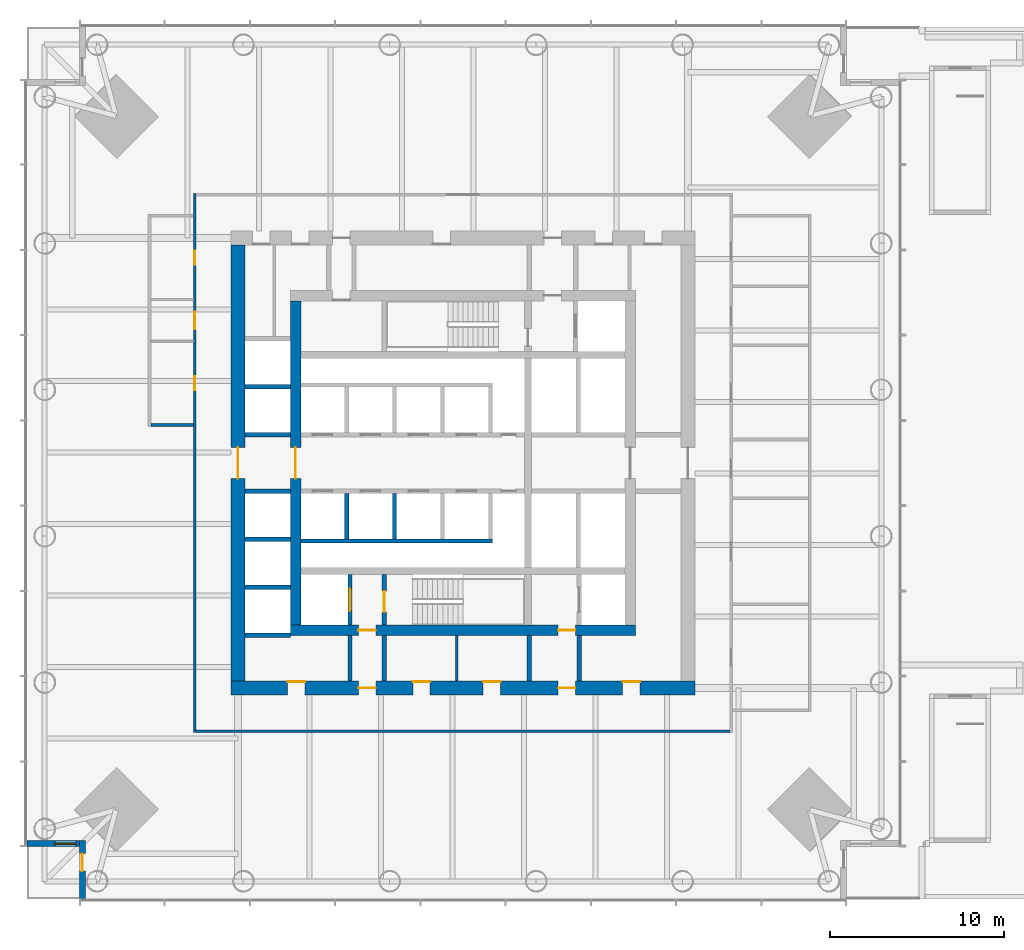
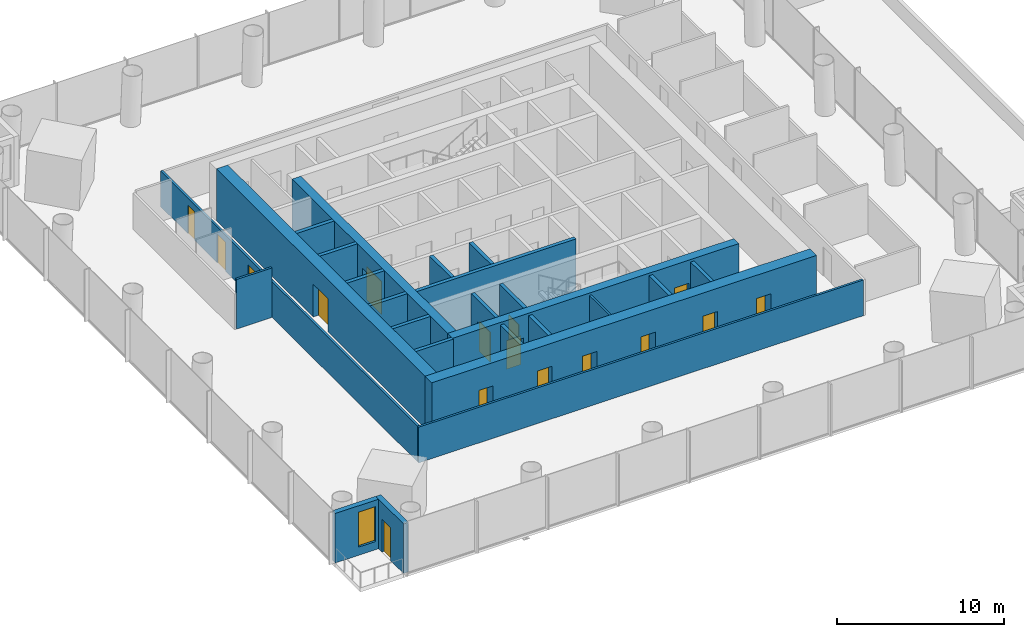
# One storey, part 9 of 19: 25 walls, 16 doors, 1 window, 17 openings.
"""IFC4 building model written with IfcOpenShell, lengths in metres."""

from ifc_helpers import new_model, si_unit, direction, frame, frame_2d, origin, place, context, subcontext, project, spatial, rectangle, extrude, material, layer, layer_set, type_object, element, fill, save


model = new_model("IFC4")

# Units and contexts
model_context = context("Model", 3, precision=1e-05, world=origin(), true_north=direction((0.0, 1.0)))
body_context = subcontext(model_context, "Body", "Model", "MODEL_VIEW")
ifc_project = project(units=[si_unit("LENGTHUNIT", "METRE"), si_unit("AREAUNIT", "SQUARE_METRE"), si_unit("VOLUMEUNIT", "CUBIC_METRE"), si_unit("PLANEANGLEUNIT", "RADIAN"), si_unit("MASSUNIT", "GRAM", prefix="KILO")], contexts=[model_context])

# Site, building, storey
site_placement = place(None, origin())
site = spatial("IfcSite", under=ifc_project, at=site_placement, CompositionType="ELEMENT")
building_placement = place(site_placement, origin())
building = spatial("IfcBuilding", under=site, at=building_placement, Name="Ostroluk Exchange", CompositionType="ELEMENT")
storey_placement = place(building_placement, frame((0.0, 0.0, 21.0)))
storey = spatial("IfcBuildingStorey", under=building, at=storey_placement, Name="L04", CompositionType="ELEMENT", Elevation=21.0)

# Walls
ifc_material_1 = material(Name="Concrete blockwork", Category="masonry")
ifc_layer_1 = layer(ifc_material_1, 0.14990234375)
ifc_layer_set_1 = layer_set([ifc_layer_1], Name="Blockwork plant room wall 150")
wall_type_1 = type_object("IfcWallType", Name="Blockwork plant room wall 150", PredefinedType="SOLIDWALL", material=ifc_layer_set_1)
wall_1_placement = place(storey_placement, frame((44.639892578125, 33.5, 0.0), z_axis=(0.0, 0.0, 1.0), x_axis=(0.0, 1.0, 0.0)))
element("IfcWall", 1, at=wall_1_placement, inside=storey, type_object=wall_type_1, Name="Core room wall", PredefinedType="SOLIDWALL", context=body_context, shape_type="SweptSolid", body=[
    extrude(rectangle(XDim=2.60009765625, YDim=0.14990234375, at=frame_2d((1.300048828125, 0.0))), origin(), (0.0, 0.0, 1.0), 3.6201171875),
])
ifc_material_2 = material(Name="Concrete blockwork", Category="masonry")
ifc_layer_2 = layer(ifc_material_2, 0.25)
ifc_layer_set_2 = layer_set([ifc_layer_2], Name="Blockwork stair enclosure wall 250")
wall_type_2 = type_object("IfcWallType", Name="Blockwork stair enclosure wall 250", PredefinedType="SOLIDWALL", material=ifc_layer_set_2)
for number, where, z_axis, x_axis, name in (
    (2, (38.52490234375, 33.5, 0.0), (0.0, 0.0, 1.0), (0.0, 1.0, 0.0), "Fire lobby enclosure wall"),
    (3, (40.47509765625, 33.5, 0.0), (0.0, 0.0, 1.0), (0.0, 1.0, 0.0), "Fire lobby enclosure wall"),
    (4, (48.804931640625, 33.5, 0.0), (0.0, 0.0, 1.0), (0.0, 1.0, 0.0), "Service lobby enclosure wall"),
    (5, (51.675048828125, 33.5, 0.0), (0.0, 0.0, 1.0), (0.0, 1.0, 0.0), "Service lobby enclosure wall"),
):
    element("IfcWall", number, at=place(storey_placement, frame(where, z_axis=z_axis, x_axis=x_axis)), inside=storey, type_object=wall_type_2, Name=name, PredefinedType="SOLIDWALL", context=body_context, shape_type="SweptSolid", body=[
        extrude(rectangle(XDim=2.60009765625, YDim=0.25, at=frame_2d((1.300048828125, 0.0))), origin(), (0.0, 0.0, 1.0), 3.6201171875),
    ])

# Wall, opening, door
ifc_material_3 = material(Name="Concrete C40/50", Category="concrete")
ifc_layer_3 = layer(ifc_material_3, 0.25)
ifc_layer_set_3 = layer_set([ifc_layer_3], Name="Core shaft wall 250")
wall_type_3 = type_object("IfcWallType", Name="Core shaft wall 250", PredefinedType="SHEAR", material=ifc_layer_set_3)
wall_2_placement = place(storey_placement, frame((38.52490234375, 36.699951171875, 0.0), z_axis=(0.0, 0.0, 1.0), x_axis=(0.0, 1.0, 0.0)))
wall_2 = element("IfcWall", 6, at=wall_2_placement, inside=storey, type_object=wall_type_3, Name="Firefighting lift shaft wall", PredefinedType="SHEAR", context=body_context, shape_type="SweptSolid", body=[
    extrude(rectangle(XDim=2.900146484375, YDim=0.25, at=frame_2d((1.4501953125, 0.0))), origin(), (0.0, 0.0, 1.0), 3.800048828125),
])
opening_1_placement = place(wall_2_placement, frame((0.800048828125, 0.0, 0.0)))
opening_1 = element("IfcOpeningElement", 7, at=opening_1_placement, cuts=wall_2, Name="Opening LD2", PredefinedType="OPENING", context=body_context, shape_type="SweptSolid", body=[
    extrude(rectangle(XDim=1.300048828125, YDim=2.199951171875, at=frame_2d((0.64990234375, 1.10009765625))), frame((0.0, 0.135009765625, 0.0), z_axis=(0.0, -1.0, 0.0), x_axis=(1.0, 0.0, 0.0)), (0.0, 0.0, 1.0), 0.27001953125),
])
ifc_material_4 = material(Name="Stainless steel", Category="steel")
door_type_1 = type_object("IfcDoorType", Name="Lift landing door E 60 1300 x 2200", OperationType="DOUBLE_DOOR_SLIDING", PredefinedType="DOOR", material=ifc_material_4)
door_1_placement = place(opening_1_placement, origin())
door_1 = element("IfcDoor", 8, at=door_1_placement, inside=storey, type_object=door_type_1, Name="Lift FL1 landing door", OperationType="DOUBLE_DOOR_SLIDING", OverallHeight=2.199951171875, OverallWidth=1.300048828125, PredefinedType="DOOR", context=body_context, shape_type="SweptSolid", body=[
    extrude(rectangle(XDim=1.300048828125, YDim=2.199951171875, at=frame_2d((0.64990234375, 1.10009765625))), frame((0.0, 0.02490234375, 0.0), z_axis=(0.0, -1.0, 0.0), x_axis=(1.0, 0.0, 0.0)), (0.0, 0.0, 1.0), 0.050048828125),
])
fill(opening_1, door_1)

wall_3_placement = place(storey_placement, frame((40.47509765625, 36.699951171875, 0.0), z_axis=(0.0, 0.0, 1.0), x_axis=(0.0, 1.0, 0.0)))
wall_3 = element("IfcWall", 9, at=wall_3_placement, inside=storey, type_object=wall_type_3, Name="Stair shaft wall", PredefinedType="SHEAR", context=body_context, shape_type="SweptSolid", body=[
    extrude(rectangle(XDim=2.900146484375, YDim=0.25, at=frame_2d((1.4501953125, 0.0))), origin(), (0.0, 0.0, 1.0), 3.800048828125),
])
opening_2_placement = place(wall_3_placement, frame((0.75, 0.0, 0.0)))
opening_2 = element("IfcOpeningElement", 10, at=opening_2_placement, cuts=wall_3, Name="Opening FD60S", PredefinedType="OPENING", context=body_context, shape_type="SweptSolid", body=[
    extrude(rectangle(XDim=1.199951171875, YDim=2.10009765625, at=frame_2d((0.60009765625, 1.050048828125))), frame((0.0, 0.135009765625, 0.0), z_axis=(0.0, -1.0, 0.0), x_axis=(1.0, 0.0, 0.0)), (0.0, 0.0, 1.0), 0.27001953125),
])
ifc_material_5 = material(Name="Steel", Category="steel")
door_type_2 = type_object("IfcDoorType", Name="Stair door EI 60 1200 x 2100", OperationType="SINGLE_SWING_LEFT", PredefinedType="DOOR", material=ifc_material_5)
door_2_placement = place(opening_2_placement, origin())
door_2 = element("IfcDoor", 11, at=door_2_placement, inside=storey, type_object=door_type_2, Name="Stair T1-S1 door", OperationType="SINGLE_SWING_LEFT", OverallHeight=2.10009765625, OverallWidth=1.199951171875, PredefinedType="DOOR", context=body_context, shape_type="SweptSolid", body=[
    extrude(rectangle(XDim=1.199951171875, YDim=2.10009765625, at=frame_2d((0.60009765625, 1.050048828125))), frame((0.0, 0.02490234375, 0.0), z_axis=(0.0, -1.0, 0.0), x_axis=(1.0, 0.0, 0.0)), (0.0, 0.0, 1.0), 0.050048828125),
])
fill(opening_2, door_2)

# Walls
for number, where, z_axis, x_axis, name in (
    (12, (38.324951171875, 44.25, 0.0), (0.0, 0.0, 1.0), (0.0, -1.0, 0.0), "Lift shaft wall"),
    (13, (41.074951171875, 44.25, 0.0), (0.0, 0.0, 1.0), (0.0, -1.0, 0.0), "Lift shaft wall"),
):
    element("IfcWall", number, at=place(storey_placement, frame(where, z_axis=z_axis, x_axis=x_axis)), inside=storey, type_object=wall_type_3, Name=name, PredefinedType="SHEAR", context=body_context, shape_type="SweptSolid", body=[
        extrude(rectangle(XDim=2.60009765625, YDim=0.25, at=frame_2d((1.300048828125, 0.0))), origin(), (0.0, 0.0, 1.0), 3.800048828125),
    ])
wall_4_placement = place(storey_placement, frame((35.699951171875, 41.52490234375, 0.0), z_axis=(0.0, 0.0, 1.0), x_axis=(1.0, 0.0, 0.0)))
element("IfcWall", 14, at=wall_4_placement, inside=storey, type_object=wall_type_3, Name="Lift shaft wall", PredefinedType="SHEAR", context=body_context, shape_type="SweptSolid", body=[
    extrude(rectangle(XDim=11.0, YDim=0.25, at=frame_2d((5.5, 0.0))), origin(), (0.0, 0.0, 1.0), 3.800048828125),
])
for number, where, z_axis, x_axis, name in (
    (15, (32.5, 36.125, 0.0), (0.0, 0.0, 1.0), (1.0, 0.0, 0.0), "Lift shaft wall"),
    (16, (32.5, 38.875, 0.0), (0.0, 0.0, 1.0), (1.0, 0.0, 0.0), "Lift shaft wall"),
    (17, (32.5, 41.625, 0.0), (0.0, 0.0, 1.0), (1.0, 0.0, 0.0), "Lift shaft wall"),
    (18, (32.5, 44.375, 0.0), (0.0, 0.0, 1.0), (1.0, 0.0, 0.0), "Lift shaft wall"),
    (19, (32.5, 47.625, 0.0), (0.0, 0.0, 1.0), (1.0, 0.0, 0.0), "Lift shaft wall"),
    (20, (32.5, 50.375, 0.0), (0.0, 0.0, 1.0), (1.0, 0.0, 0.0), "Lift shaft wall"),
):
    element("IfcWall", number, at=place(storey_placement, frame(where, z_axis=z_axis, x_axis=x_axis)), inside=storey, type_object=wall_type_3, Name=name, PredefinedType="SHEAR", context=body_context, shape_type="SweptSolid", body=[
        extrude(rectangle(XDim=2.60009765625, YDim=0.25, at=frame_2d((1.300048828125, 0.0))), origin(), (0.0, 0.0, 1.0), 3.800048828125),
    ])

# Wall, openings, doors
ifc_material_6 = material(Name="Concrete C50/60", Category="concrete")
ifc_layer_4 = layer(ifc_material_6, 0.60009765625)
ifc_layer_set_4 = layer_set([ifc_layer_4], Name="Core wall 600 C50/60")
wall_type_4 = type_object("IfcWallType", Name="Core wall 600 C50/60", PredefinedType="SHEAR", material=ifc_layer_set_4)
wall_5_placement = place(storey_placement, frame((35.10009765625, 36.39990234375, 0.0), z_axis=(0.0, 0.0, 1.0), x_axis=(1.0, 0.0, 0.0)))
wall_5 = element("IfcWall", 21, at=wall_5_placement, inside=storey, type_object=wall_type_4, Name="T1 core wall S", PredefinedType="SHEAR", context=body_context, shape_type="SweptSolid", body=[
    extrude(rectangle(XDim=19.7998046875, YDim=0.60009765625, at=frame_2d((9.89990234375, 0.0))), origin(), (0.0, 0.0, 1.0), 3.800048828125),
])
opening_3_placement = place(wall_5_placement, frame((3.89990234375, 0.0, 0.0)))
opening_3 = element("IfcOpeningElement", 22, at=opening_3_placement, cuts=wall_5, Name="Opening FD60", PredefinedType="OPENING", context=body_context, shape_type="SweptSolid", body=[
    extrude(rectangle(XDim=1.0, YDim=2.10009765625, at=frame_2d((0.5, 1.050048828125))), frame((0.0, 0.31005859375, 0.0), z_axis=(0.0, -1.0, 0.0), x_axis=(1.0, 0.0, 0.0)), (0.0, 0.0, 1.0), 0.6201171875),
])
opening_4_placement = place(wall_5_placement, frame((15.35009765625, 0.0, 0.0)))
opening_4 = element("IfcOpeningElement", 23, at=opening_4_placement, cuts=wall_5, Name="Opening FD60", PredefinedType="OPENING", context=body_context, shape_type="SweptSolid", body=[
    extrude(rectangle(XDim=1.0, YDim=2.10009765625, at=frame_2d((0.5, 1.050048828125))), frame((0.0, 0.31005859375, 0.0), z_axis=(0.0, -1.0, 0.0), x_axis=(1.0, 0.0, 0.0)), (0.0, 0.0, 1.0), 0.6201171875),
])
ifc_material_7 = material(Name="Steel", Category="steel")
door_type_3 = type_object("IfcDoorType", Name="Fire door EI 60 1000 x 2100", OperationType="SINGLE_SWING_LEFT", PredefinedType="DOOR", material=ifc_material_7)
door_3_placement = place(opening_3_placement, origin())
door_3 = element("IfcDoor", 24, at=door_3_placement, inside=storey, type_object=door_type_3, Name="Firefighting lobby door", OperationType="SINGLE_SWING_LEFT", OverallHeight=2.10009765625, OverallWidth=1.0, PredefinedType="DOOR", context=body_context, shape_type="SweptSolid", body=[
    extrude(rectangle(XDim=1.0, YDim=2.10009765625, at=frame_2d((0.5, 1.050048828125))), frame((0.0, 0.02490234375, 0.0), z_axis=(0.0, -1.0, 0.0), x_axis=(1.0, 0.0, 0.0)), (0.0, 0.0, 1.0), 0.050048828125),
])
fill(opening_3, door_3)
door_4_placement = place(opening_4_placement, origin())
door_4 = element("IfcDoor", 25, at=door_4_placement, inside=storey, type_object=door_type_3, Name="Service lobby door", OperationType="SINGLE_SWING_RIGHT", OverallHeight=2.10009765625, OverallWidth=1.0, PredefinedType="DOOR", context=body_context, shape_type="SweptSolid", body=[
    extrude(rectangle(XDim=1.0, YDim=2.10009765625, at=frame_2d((0.5, 1.050048828125))), frame((0.0, 0.02490234375, 0.0), z_axis=(0.0, -1.0, 0.0), x_axis=(1.0, 0.0, 0.0)), (0.0, 0.0, 1.0), 0.050048828125),
])
fill(opening_4, door_4)

# Wall, opening, door
wall_6_placement = place(storey_placement, frame((35.39990234375, 36.699951171875, 0.0), z_axis=(0.0, 0.0, 1.0), x_axis=(0.0, 1.0, 0.0)))
wall_6 = element("IfcWall", 26, at=wall_6_placement, inside=storey, type_object=wall_type_4, Name="T1 core wall W", PredefinedType="SHEAR", context=body_context, shape_type="SweptSolid", body=[
    extrude(rectangle(XDim=18.60009765625, YDim=0.60009765625, at=frame_2d((9.300048828125, 0.0))), origin(), (0.0, 0.0, 1.0), 3.800048828125),
])
opening_5_placement = place(wall_6_placement, frame((8.39990234375, 0.0, 0.0)))
opening_5 = element("IfcOpeningElement", 27, at=opening_5_placement, cuts=wall_6, Name="Opening FD30D", PredefinedType="OPENING", context=body_context, shape_type="SweptSolid", body=[
    extrude(rectangle(XDim=1.800048828125, YDim=2.39990234375, at=frame_2d((0.89990234375, 1.199951171875))), frame((0.0, 0.31005859375, 0.0), z_axis=(0.0, -1.0, 0.0), x_axis=(1.0, 0.0, 0.0)), (0.0, 0.0, 1.0), 0.6201171875),
])
ifc_material_8 = material(Name="Timber", Category="wood")
door_type_4 = type_object("IfcDoorType", Name="Lobby double door EI 30 1800 x 2400", OperationType="DOUBLE_DOOR_SINGLE_SWING", PredefinedType="DOOR", material=ifc_material_8)
door_5_placement = place(opening_5_placement, origin())
door_5 = element("IfcDoor", 28, at=door_5_placement, inside=storey, type_object=door_type_4, Name="Lift lobby doors", OperationType="DOUBLE_DOOR_SINGLE_SWING", OverallHeight=2.39990234375, OverallWidth=1.800048828125, PredefinedType="DOOR", context=body_context, shape_type="SweptSolid", body=[
    extrude(rectangle(XDim=1.800048828125, YDim=2.39990234375, at=frame_2d((0.89990234375, 1.199951171875))), frame((0.0, 0.02490234375, 0.0), z_axis=(0.0, -1.0, 0.0), x_axis=(1.0, 0.0, 0.0)), (0.0, 0.0, 1.0), 0.050048828125),
])
fill(opening_5, door_5)

# Wall, openings, doors
ifc_material_9 = material(Name="Concrete C50/60", Category="concrete")
ifc_layer_5 = layer(ifc_material_9, 0.800048828125)
ifc_layer_set_5 = layer_set([ifc_layer_5], Name="Core wall 800 C50/60")
wall_type_5 = type_object("IfcWallType", Name="Core wall 800 C50/60", PredefinedType="SHEAR", material=ifc_layer_set_5)
wall_7_placement = place(storey_placement, frame((31.699951171875, 33.10009765625, 0.0), z_axis=(0.0, 0.0, 1.0), x_axis=(1.0, 0.0, 0.0)))
wall_7 = element("IfcWall", 29, at=wall_7_placement, inside=storey, type_object=wall_type_5, Name="T1 core wall RS", PredefinedType="SHEAR", context=body_context, shape_type="SweptSolid", body=[
    extrude(rectangle(XDim=26.60009765625, YDim=0.800048828125, at=frame_2d((13.300048828125, 0.0))), origin(), (0.0, 0.0, 1.0), 3.800048828125),
])
opening_6_placement = place(wall_7_placement, frame((7.300048828125, 0.0, 0.0)))
opening_6 = element("IfcOpeningElement", 30, at=opening_6_placement, cuts=wall_7, Name="Opening FD60", PredefinedType="OPENING", context=body_context, shape_type="SweptSolid", body=[
    extrude(rectangle(XDim=1.0, YDim=2.10009765625, at=frame_2d((0.5, 1.050048828125))), frame((0.0, 0.409912109375, 0.0), z_axis=(0.0, -1.0, 0.0), x_axis=(1.0, 0.0, 0.0)), (0.0, 0.0, 1.0), 0.820068359375),
])
opening_7_placement = place(wall_7_placement, frame((18.75, 0.0, 0.0)))
opening_7 = element("IfcOpeningElement", 31, at=opening_7_placement, cuts=wall_7, Name="Opening FD60", PredefinedType="OPENING", context=body_context, shape_type="SweptSolid", body=[
    extrude(rectangle(XDim=1.0, YDim=2.10009765625, at=frame_2d((0.5, 1.050048828125))), frame((0.0, 0.409912109375, 0.0), z_axis=(0.0, -1.0, 0.0), x_axis=(1.0, 0.0, 0.0)), (0.0, 0.0, 1.0), 0.820068359375),
])
opening_8_placement = place(wall_7_placement, frame((3.25, 0.0, 0.0)))
opening_8 = element("IfcOpeningElement", 32, at=opening_8_placement, cuts=wall_7, Name="Opening FD60", PredefinedType="OPENING", context=body_context, shape_type="SweptSolid", body=[
    extrude(rectangle(XDim=1.0, YDim=2.10009765625, at=frame_2d((0.5, 1.050048828125))), frame((0.0, 0.409912109375, 0.0), z_axis=(0.0, -1.0, 0.0), x_axis=(1.0, 0.0, 0.0)), (0.0, 0.0, 1.0), 0.820068359375),
])
opening_9_placement = place(wall_7_placement, frame((10.419921875, 0.0, 0.0)))
opening_9 = element("IfcOpeningElement", 33, at=opening_9_placement, cuts=wall_7, Name="Opening FD60", PredefinedType="OPENING", context=body_context, shape_type="SweptSolid", body=[
    extrude(rectangle(XDim=1.0, YDim=2.10009765625, at=frame_2d((0.5, 1.050048828125))), frame((0.0, 0.409912109375, 0.0), z_axis=(0.0, -1.0, 0.0), x_axis=(1.0, 0.0, 0.0)), (0.0, 0.0, 1.0), 0.820068359375),
])
opening_10_placement = place(wall_7_placement, frame((14.4599609375, 0.0, 0.0)))
opening_10 = element("IfcOpeningElement", 34, at=opening_10_placement, cuts=wall_7, Name="Opening FD60", PredefinedType="OPENING", context=body_context, shape_type="SweptSolid", body=[
    extrude(rectangle(XDim=1.0, YDim=2.10009765625, at=frame_2d((0.5, 1.050048828125))), frame((0.0, 0.409912109375, 0.0), z_axis=(0.0, -1.0, 0.0), x_axis=(1.0, 0.0, 0.0)), (0.0, 0.0, 1.0), 0.820068359375),
])
opening_11_placement = place(wall_7_placement, frame((22.449951171875, 0.0, 0.0)))
opening_11 = element("IfcOpeningElement", 35, at=opening_11_placement, cuts=wall_7, Name="Opening FD60", PredefinedType="OPENING", context=body_context, shape_type="SweptSolid", body=[
    extrude(rectangle(XDim=1.0, YDim=2.10009765625, at=frame_2d((0.5, 1.050048828125))), frame((0.0, 0.409912109375, 0.0), z_axis=(0.0, -1.0, 0.0), x_axis=(1.0, 0.0, 0.0)), (0.0, 0.0, 1.0), 0.820068359375),
])
door_6_placement = place(opening_6_placement, origin())
door_6 = element("IfcDoor", 36, at=door_6_placement, inside=storey, type_object=door_type_3, Name="Firefighting lobby door", OperationType="SINGLE_SWING_LEFT", OverallHeight=2.10009765625, OverallWidth=1.0, PredefinedType="DOOR", context=body_context, shape_type="SweptSolid", body=[
    extrude(rectangle(XDim=1.0, YDim=2.10009765625, at=frame_2d((0.5, 1.050048828125))), frame((0.0, 0.02490234375, 0.0), z_axis=(0.0, -1.0, 0.0), x_axis=(1.0, 0.0, 0.0)), (0.0, 0.0, 1.0), 0.050048828125),
])
fill(opening_6, door_6)
door_7_placement = place(opening_7_placement, origin())
door_7 = element("IfcDoor", 37, at=door_7_placement, inside=storey, type_object=door_type_3, Name="Service lobby door", OperationType="SINGLE_SWING_RIGHT", OverallHeight=2.10009765625, OverallWidth=1.0, PredefinedType="DOOR", context=body_context, shape_type="SweptSolid", body=[
    extrude(rectangle(XDim=1.0, YDim=2.10009765625, at=frame_2d((0.5, 1.050048828125))), frame((0.0, 0.02490234375, 0.0), z_axis=(0.0, -1.0, 0.0), x_axis=(1.0, 0.0, 0.0)), (0.0, 0.0, 1.0), 0.050048828125),
])
fill(opening_7, door_7)
door_8_placement = place(opening_8_placement, origin())
door_8 = element("IfcDoor", 38, at=door_8_placement, inside=storey, type_object=door_type_3, Name="Archive door", OperationType="SINGLE_SWING_LEFT", OverallHeight=2.10009765625, OverallWidth=1.0, PredefinedType="DOOR", context=body_context, shape_type="SweptSolid", body=[
    extrude(rectangle(XDim=1.0, YDim=2.10009765625, at=frame_2d((0.5, 1.050048828125))), frame((0.0, 0.39013671875, 0.0), z_axis=(0.0, -1.0, 0.0), x_axis=(1.0, 0.0, 0.0)), (0.0, 0.0, 1.0), 0.050048828125),
])
fill(opening_8, door_8)
door_9_placement = place(opening_9_placement, origin())
door_9 = element("IfcDoor", 39, at=door_9_placement, inside=storey, type_object=door_type_3, Name="Tea point door", OperationType="SINGLE_SWING_LEFT", OverallHeight=2.10009765625, OverallWidth=1.0, PredefinedType="DOOR", context=body_context, shape_type="SweptSolid", body=[
    extrude(rectangle(XDim=1.0, YDim=2.10009765625, at=frame_2d((0.5, 1.050048828125))), frame((0.0, 0.39013671875, 0.0), z_axis=(0.0, -1.0, 0.0), x_axis=(1.0, 0.0, 0.0)), (0.0, 0.0, 1.0), 0.050048828125),
])
fill(opening_9, door_9)
door_10_placement = place(opening_10_placement, origin())
door_10 = element("IfcDoor", 40, at=door_10_placement, inside=storey, type_object=door_type_3, Name="Print and post room door", OperationType="SINGLE_SWING_RIGHT", OverallHeight=2.10009765625, OverallWidth=1.0, PredefinedType="DOOR", context=body_context, shape_type="SweptSolid", body=[
    extrude(rectangle(XDim=1.0, YDim=2.10009765625, at=frame_2d((0.5, 1.050048828125))), frame((0.0, 0.39013671875, 0.0), z_axis=(0.0, -1.0, 0.0), x_axis=(1.0, 0.0, 0.0)), (0.0, 0.0, 1.0), 0.050048828125),
])
fill(opening_10, door_10)
door_11_placement = place(opening_11_placement, origin())
door_11 = element("IfcDoor", 41, at=door_11_placement, inside=storey, type_object=door_type_3, Name="Tenant IT room door", OperationType="SINGLE_SWING_RIGHT", OverallHeight=2.10009765625, OverallWidth=1.0, PredefinedType="DOOR", context=body_context, shape_type="SweptSolid", body=[
    extrude(rectangle(XDim=1.0, YDim=2.10009765625, at=frame_2d((0.5, 1.050048828125))), frame((0.0, 0.39013671875, 0.0), z_axis=(0.0, -1.0, 0.0), x_axis=(1.0, 0.0, 0.0)), (0.0, 0.0, 1.0), 0.050048828125),
])
fill(opening_11, door_11)

# Wall, opening, door
wall_8_placement = place(storey_placement, frame((32.10009765625, 33.5, 0.0), z_axis=(0.0, 0.0, 1.0), x_axis=(0.0, 1.0, 0.0)))
wall_8 = element("IfcWall", 42, at=wall_8_placement, inside=storey, type_object=wall_type_5, Name="T1 core wall RW", PredefinedType="SHEAR", context=body_context, shape_type="SweptSolid", body=[
    extrude(rectangle(XDim=25.0, YDim=0.800048828125, at=frame_2d((12.5, 0.0))), origin(), (0.0, 0.0, 1.0), 3.800048828125),
])
opening_12_placement = place(wall_8_placement, frame((11.60009765625, 0.0, 0.0)))
opening_12 = element("IfcOpeningElement", 43, at=opening_12_placement, cuts=wall_8, Name="Opening FD30D", PredefinedType="OPENING", context=body_context, shape_type="SweptSolid", body=[
    extrude(rectangle(XDim=1.800048828125, YDim=2.39990234375, at=frame_2d((0.89990234375, 1.199951171875))), frame((0.0, 0.409912109375, 0.0), z_axis=(0.0, -1.0, 0.0), x_axis=(1.0, 0.0, 0.0)), (0.0, 0.0, 1.0), 0.820068359375),
])
door_12_placement = place(opening_12_placement, origin())
door_12 = element("IfcDoor", 44, at=door_12_placement, inside=storey, type_object=door_type_4, Name="Lift lobby doors", OperationType="DOUBLE_DOOR_SINGLE_SWING", OverallHeight=2.39990234375, OverallWidth=1.800048828125, PredefinedType="DOOR", context=body_context, shape_type="SweptSolid", body=[
    extrude(rectangle(XDim=1.800048828125, YDim=2.39990234375, at=frame_2d((0.89990234375, 1.199951171875))), frame((0.0, 0.02490234375, 0.0), z_axis=(0.0, -1.0, 0.0), x_axis=(1.0, 0.0, 0.0)), (0.0, 0.0, 1.0), 0.050048828125),
])
fill(opening_12, door_12)

ifc_material_10 = material(Name="Limestone", Category="masonry")
ifc_layer_6 = layer(ifc_material_10, 0.35009765625)
ifc_layer_set_6 = layer_set([ifc_layer_6], Name="Limestone facade wall 350")
wall_type_6 = type_object("IfcWallType", Name="Limestone facade wall 350", PredefinedType="SOLIDWALL", material=ifc_layer_set_6)
wall_9_placement = place(storey_placement, frame((23.175048828125, 21.0, 0.0), z_axis=(0.0, 0.0, 1.0), x_axis=(0.0, 1.0, 0.0)))
wall_9 = element("IfcWall", 45, at=wall_9_placement, inside=storey, type_object=wall_type_6, Name="Office tower SW corner wall L04 a", PredefinedType="SOLIDWALL", context=body_context, shape_type="SweptSolid", body=[
    extrude(rectangle(XDim=3.35009765625, YDim=0.35009765625, at=frame_2d((1.675048828125, 0.0))), origin(), (0.0, 0.0, 1.0), 3.6201171875),
])
opening_13_placement = place(wall_9_placement, frame((1.60009765625, 0.0, 0.0)))
opening_13 = element("IfcOpeningElement", 46, at=opening_13_placement, cuts=wall_9, Name="Opening D-B1", PredefinedType="OPENING", context=body_context, shape_type="SweptSolid", body=[
    extrude(rectangle(XDim=1.0, YDim=2.39990234375, at=frame_2d((0.5, 1.199951171875))), frame((0.0, 0.18505859375, 0.0), z_axis=(0.0, -1.0, 0.0), x_axis=(1.0, 0.0, 0.0)), (0.0, 0.0, 1.0), 0.3701171875),
])
ifc_material_11 = material(Name="Bronze framed glazed door", Category="aluminium")
door_type_5 = type_object("IfcDoorType", Name="Balcony door 1000 x 2400", OperationType="SINGLE_SWING_LEFT", PredefinedType="DOOR", material=ifc_material_11)
door_13_placement = place(opening_13_placement, origin())
door_13 = element("IfcDoor", 47, at=door_13_placement, inside=storey, type_object=door_type_5, Name="Office tower SW balcony door L04", OperationType="SINGLE_SWING_RIGHT", OverallHeight=2.39990234375, OverallWidth=1.0, PredefinedType="DOOR", context=body_context, shape_type="SweptSolid", body=[
    extrude(rectangle(XDim=1.0, YDim=2.39990234375, at=frame_2d((0.5, 1.199951171875))), frame((0.0, 0.02490234375, 0.0), z_axis=(0.0, -1.0, 0.0), x_axis=(1.0, 0.0, 0.0)), (0.0, 0.0, 1.0), 0.050048828125),
])
fill(opening_13, door_13)

# Wall, opening, window
wall_10_placement = place(storey_placement, frame((23.0, 24.175048828125, 0.0), z_axis=(0.0, 0.0, 1.0), x_axis=(-1.0, 0.0, 0.0)))
wall_10 = element("IfcWall", 48, at=wall_10_placement, inside=storey, type_object=wall_type_6, Name="Office tower SW corner wall L04 b", PredefinedType="SOLIDWALL", context=body_context, shape_type="SweptSolid", body=[
    extrude(rectangle(XDim=3.0, YDim=0.35009765625, at=frame_2d((1.5, 0.0))), origin(), (0.0, 0.0, 1.0), 3.6201171875),
])
opening_14_placement = place(wall_10_placement, frame((0.199951171875, 0.0, 0.60009765625)))
opening_14 = element("IfcOpeningElement", 49, at=opening_14_placement, cuts=wall_10, Name="Opening WN-L1", PredefinedType="OPENING", context=body_context, shape_type="SweptSolid", body=[
    extrude(rectangle(XDim=1.199951171875, YDim=2.550048828125, at=frame_2d((0.60009765625, 1.27490234375))), frame((0.0, 0.18505859375, 0.0), z_axis=(0.0, -1.0, 0.0), x_axis=(1.0, 0.0, 0.0)), (0.0, 0.0, 1.0), 0.3701171875),
])
ifc_material_12 = material(Name="Laminated clear glass", Category="glass")
window_type = type_object("IfcWindowType", Name="Lancet window 1200 x 2550", PartitioningType="SINGLE_PANEL", PredefinedType="WINDOW", material=ifc_material_12)
window_placement = place(opening_14_placement, origin())
window = element("IfcWindow", 50, at=window_placement, inside=storey, type_object=window_type, Name="Office tower SW lancet window L04", OverallHeight=2.550048828125, OverallWidth=1.199951171875, PartitioningType="SINGLE_PANEL", PredefinedType="WINDOW", context=body_context, shape_type="SweptSolid", body=[
    extrude(rectangle(XDim=1.199951171875, YDim=2.550048828125, at=frame_2d((0.60009765625, 1.27490234375))), frame((0.0, 0.030029296875, 0.0), z_axis=(0.0, -1.0, 0.0), x_axis=(1.0, 0.0, 0.0)), (0.0, 0.0, 1.0), 0.06005859375),
])
fill(opening_14, window)

# Wall, openings, doors
ifc_material_13 = material(Name="Gypsum plasterboard partition", Category="gypsum")
ifc_layer_7 = layer(ifc_material_13, 0.14990234375)
ifc_layer_set_7 = layer_set([ifc_layer_7], Name="Plasterboard partition 150")
wall_type_7 = type_object("IfcWallType", Name="Plasterboard partition 150", PredefinedType="PARTITIONING", material=ifc_layer_set_7)
wall_11_placement = place(storey_placement, frame((29.625, 61.449951171875, 0.0), z_axis=(0.0, 0.0, 1.0), x_axis=(0.0, -1.0, 0.0)))
wall_11 = element("IfcWall", 51, at=wall_11_placement, inside=storey, type_object=wall_type_7, Name="Corridor wall", PredefinedType="PARTITIONING", context=body_context, shape_type="SweptSolid", body=[
    extrude(rectangle(XDim=30.75, YDim=0.14990234375, at=frame_2d((15.375, 0.0))), origin(), (0.0, 0.0, 1.0), 2.612060546875),
])
opening_15_placement = place(wall_11_placement, frame((3.27490234375, 0.0, 0.0)))
opening_15 = element("IfcOpeningElement", 52, at=opening_15_placement, cuts=wall_11, Name="Opening D-06", PredefinedType="OPENING", context=body_context, shape_type="SweptSolid", body=[
    extrude(rectangle(XDim=0.800048828125, YDim=2.10009765625, at=frame_2d((0.39990234375, 1.050048828125))), frame((0.0, 0.0849609375, 0.0), z_axis=(0.0, -1.0, 0.0), x_axis=(1.0, 0.0, 0.0)), (0.0, 0.0, 1.0), 0.169921875),
])
opening_16_placement = place(wall_11_placement, frame((6.77490234375, 0.0, 0.0)))
opening_16 = element("IfcOpeningElement", 53, at=opening_16_placement, cuts=wall_11, Name="Opening D-03", PredefinedType="OPENING", context=body_context, shape_type="SweptSolid", body=[
    extrude(rectangle(XDim=1.0, YDim=2.10009765625, at=frame_2d((0.5, 1.050048828125))), frame((0.0, 0.0849609375, 0.0), z_axis=(0.0, -1.0, 0.0), x_axis=(1.0, 0.0, 0.0)), (0.0, 0.0, 1.0), 0.169921875),
])
opening_17_placement = place(wall_11_placement, frame((10.47509765625, 0.0, 0.0)))
opening_17 = element("IfcOpeningElement", 54, at=opening_17_placement, cuts=wall_11, Name="Opening D-06", PredefinedType="OPENING", context=body_context, shape_type="SweptSolid", body=[
    extrude(rectangle(XDim=0.800048828125, YDim=2.10009765625, at=frame_2d((0.39990234375, 1.050048828125))), frame((0.0, 0.0849609375, 0.0), z_axis=(0.0, -1.0, 0.0), x_axis=(1.0, 0.0, 0.0)), (0.0, 0.0, 1.0), 0.169921875),
])
ifc_material_14 = material(Name="Timber", Category="wood")
door_type_6 = type_object("IfcDoorType", Name="Internal door 1000 x 2100", OperationType="SINGLE_SWING_LEFT", PredefinedType="DOOR", material=ifc_material_14)
door_14_placement = place(opening_16_placement, origin())
door_14 = element("IfcDoor", 55, at=door_14_placement, inside=storey, type_object=door_type_6, Name="Accessible WC door", OperationType="SINGLE_SWING_LEFT", OverallHeight=2.10009765625, OverallWidth=1.0, PredefinedType="DOOR", context=body_context, shape_type="SweptSolid", body=[
    extrude(rectangle(XDim=1.0, YDim=2.10009765625, at=frame_2d((0.5, 1.050048828125))), frame((0.0, 0.02490234375, 0.0), z_axis=(0.0, -1.0, 0.0), x_axis=(1.0, 0.0, 0.0)), (0.0, 0.0, 1.0), 0.050048828125),
])
fill(opening_16, door_14)
ifc_material_15 = material(Name="Timber", Category="wood")
door_type_7 = type_object("IfcDoorType", Name="Toilet door 800 x 2100", OperationType="SINGLE_SWING_LEFT", PredefinedType="DOOR", material=ifc_material_15)
door_15_placement = place(opening_15_placement, origin())
door_15 = element("IfcDoor", 56, at=door_15_placement, inside=storey, type_object=door_type_7, Name="WC female door", OperationType="SINGLE_SWING_LEFT", OverallHeight=2.10009765625, OverallWidth=0.800048828125, PredefinedType="DOOR", context=body_context, shape_type="SweptSolid", body=[
    extrude(rectangle(XDim=0.800048828125, YDim=2.10009765625, at=frame_2d((0.39990234375, 1.050048828125))), frame((0.0, 0.02490234375, 0.0), z_axis=(0.0, -1.0, 0.0), x_axis=(1.0, 0.0, 0.0)), (0.0, 0.0, 1.0), 0.050048828125),
])
fill(opening_15, door_15)
door_16_placement = place(opening_17_placement, origin())
door_16 = element("IfcDoor", 57, at=door_16_placement, inside=storey, type_object=door_type_7, Name="WC male door", OperationType="SINGLE_SWING_LEFT", OverallHeight=2.10009765625, OverallWidth=0.800048828125, PredefinedType="DOOR", context=body_context, shape_type="SweptSolid", body=[
    extrude(rectangle(XDim=0.800048828125, YDim=2.10009765625, at=frame_2d((0.39990234375, 1.050048828125))), frame((0.0, 0.02490234375, 0.0), z_axis=(0.0, -1.0, 0.0), x_axis=(1.0, 0.0, 0.0)), (0.0, 0.0, 1.0), 0.050048828125),
])
fill(opening_17, door_16)

# Walls
wall_12_placement = place(storey_placement, frame((29.550048828125, 30.625, 0.0), z_axis=(0.0, 0.0, 1.0), x_axis=(1.0, 0.0, 0.0)))
element("IfcWall", 58, at=wall_12_placement, inside=storey, type_object=wall_type_7, Name="Corridor wall", PredefinedType="PARTITIONING", context=body_context, shape_type="SweptSolid", body=[
    extrude(rectangle(XDim=30.75, YDim=0.14990234375, at=frame_2d((15.375, 0.0))), origin(), (0.0, 0.0, 1.0), 2.612060546875),
])
ifc_material_16 = material(Name="Gypsum plasterboard partition, moisture resistant", Category="gypsum")
ifc_layer_8 = layer(ifc_material_16, 0.14990234375)
ifc_layer_set_8 = layer_set([ifc_layer_8], Name="Plasterboard toilet partition 150")
wall_type_8 = type_object("IfcWallType", Name="Plasterboard toilet partition 150", PredefinedType="PARTITIONING", material=ifc_layer_set_8)
wall_13_placement = place(storey_placement, frame((29.550048828125, 48.175048828125, 0.0), z_axis=(0.0, 0.0, 1.0), x_axis=(-1.0, 0.0, 0.0)))
element("IfcWall", 59, at=wall_13_placement, inside=storey, type_object=wall_type_8, Name="Toilet partition", PredefinedType="PARTITIONING", context=body_context, shape_type="SweptSolid", body=[
    extrude(rectangle(XDim=2.449951171875, YDim=0.14990234375, at=frame_2d((1.22509765625, 0.0))), origin(), (0.0, 0.0, 1.0), 3.6201171875),
])

save(model, "model.ifc")
